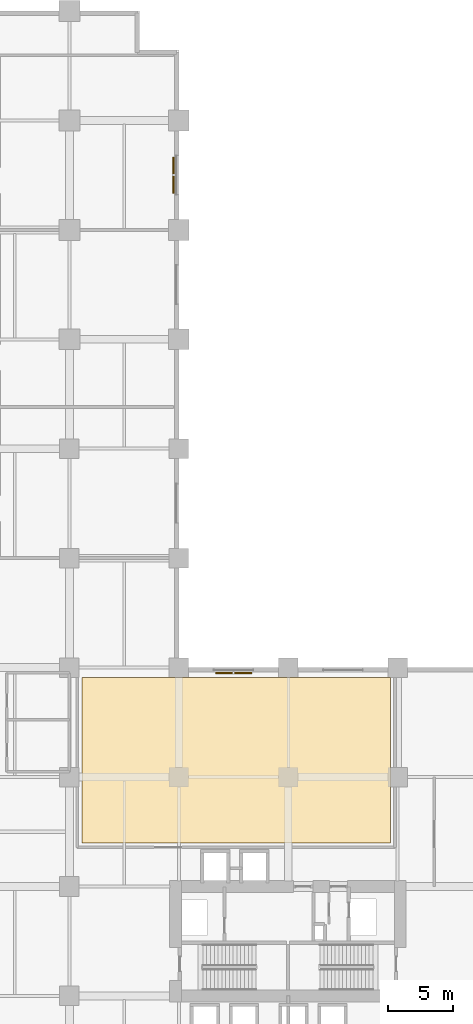
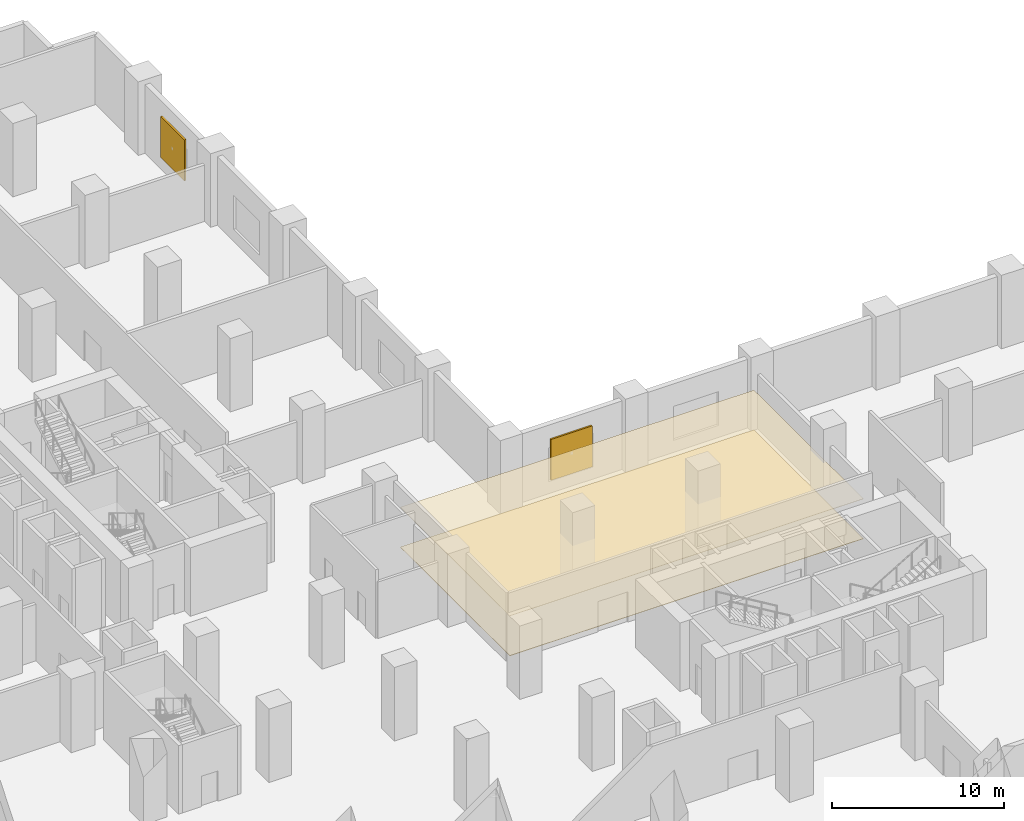
# One storey, part 19 of 19: 2 coverings, 2 shading devices.
"""IFC4 building model written with IfcOpenShell, lengths in metres."""

from ifc_helpers import new_model, si_unit, direction, frame, origin, origin_2d, place, context, subcontext, project, spatial, polyline, rectangle, outline, extrude, material, layer, layer_set, type_object, element, save


model = new_model("IFC4")

# Units and contexts
model_context = context("Model", 3, precision=1e-05, world=origin(), true_north=direction((0.0, 1.0)))
body_context = subcontext(model_context, "Body", "Model", "MODEL_VIEW")
ifc_project = project(units=[si_unit("LENGTHUNIT", "METRE"), si_unit("AREAUNIT", "SQUARE_METRE"), si_unit("VOLUMEUNIT", "CUBIC_METRE"), si_unit("PLANEANGLEUNIT", "RADIAN"), si_unit("MASSUNIT", "GRAM", prefix="KILO")], contexts=[model_context])

# Site, building, storey
site_placement = place(None, origin())
site = spatial("IfcSite", under=ifc_project, at=site_placement, CompositionType="ELEMENT")
building_placement = place(site_placement, origin())
building = spatial("IfcBuilding", under=site, at=building_placement, Name="Koriwani Terraces Tower", CompositionType="ELEMENT")
storey_placement = place(building_placement, frame((0.0, 0.0, 15.60009765625)))
storey = spatial("IfcBuildingStorey", under=building, at=storey_placement, Name="L03", CompositionType="ELEMENT", Elevation=15.60009765625)

# Coverings
ifc_material_1 = material(Name="Fire-Rated Acoustic Gypsum Partition", Category="masonry")
ifc_layer_1 = layer(ifc_material_1, 0.02490234375, Name="Fire-Rated Acoustic Gypsum Partition")
ifc_layer_set_1 = layer_set([ifc_layer_1], Name="Fire-Rated Acoustic Gypsum Partition")
covering_type_1 = type_object("IfcCoveringType", Name="CEILING_ACOUSTIC_GYPSUM", PredefinedType="CEILING", material=ifc_layer_set_1)
covering_1_placement = place(storey_placement, frame((0.0, 0.0, 2.824951171875)))
element("IfcCovering", 1, at=covering_1_placement, inside=storey, type_object=covering_type_1, Name="L03 Suspended Acoustic Gypsum Ceiling", PredefinedType="CEILING", context=body_context, shape_type="SweptSolid", body=[
    extrude(outline(polyline([(34.550048828125, 28.550048828125), (34.550048828125, 41.25), (58.25, 41.25), (58.25, 28.550048828125), (34.550048828125, 28.550048828125)])), origin(), (0.0, 0.0, 1.0), 0.02490234375),
])
ifc_material_2 = material(Name="Polished Andean Slate Flooring", Category="masonry")
ifc_layer_2 = layer(ifc_material_2, 0.030029296875, Name="Polished Andean Slate Flooring")
ifc_layer_set_2 = layer_set([ifc_layer_2], Name="Polished Andean Slate Flooring")
covering_type_2 = type_object("IfcCoveringType", Name="FLOORING_ANDEAN_STONE", PredefinedType="FLOORING", material=ifc_layer_set_2)
covering_2_placement = place(storey_placement, origin())
element("IfcCovering", 2, at=covering_2_placement, inside=storey, type_object=covering_type_2, Name="L03 Polished Andean Slate Floor Finish", PredefinedType="FLOORING", context=body_context, shape_type="SweptSolid", body=[
    extrude(outline(polyline([(34.550048828125, 28.550048828125), (34.550048828125, 41.25), (58.25, 41.25), (58.25, 28.550048828125), (34.550048828125, 28.550048828125)])), origin(), (0.0, 0.0, 1.0), 0.02978515625),
])

# Shading devices
ifc_material_3 = material(Name="Extruded Terracotta Clay", Category="masonry")
ifc_layer_3 = layer(ifc_material_3, 0.1201171875, Name="Extruded Terracotta Clay")
ifc_layer_set_3 = layer_set([ifc_layer_3], Name="Extruded Terracotta Clay")
shading_device_type = type_object("IfcShadingDeviceType", Name="TERRACOTTA_BAGUETTE_SCREEN_2800", PredefinedType="USERDEFINED", material=ifc_layer_set_3)
for number, where, z_axis, x_axis, name in (
    (3, (41.594970703125, 79.800048828125, 0.974853515625), (0.0, 0.0, 1.0), (0.0, -1.0, 0.0), "L03 Extruded Terracotta Baguette Screen (NW_IN-14)"),
    (4, (46.199951171875, 41.594970703125, 0.974853515625), (0.0, 0.0, 1.0), (1.0, 0.0, 0.0), "L03 Extruded Terracotta Baguette Screen (NE-2)"),
):
    element("IfcShadingDevice", number, at=place(storey_placement, frame(where, z_axis=z_axis, x_axis=x_axis)), inside=storey, type_object=shading_device_type, Name=name, ObjectType="BAGUETTE", PredefinedType="USERDEFINED", context=body_context, shape_type="SweptSolid", body=[
        extrude(rectangle(XDim=2.760009765625, YDim=0.1201171875, at=origin_2d()), origin(), (0.0, 0.0, 1.0), 2.89990234375),
    ])

save(model, "model.ifc")
